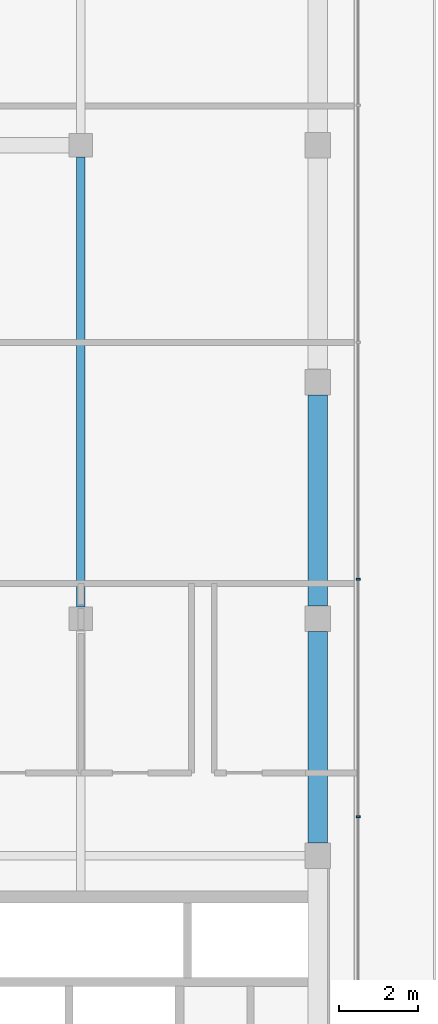
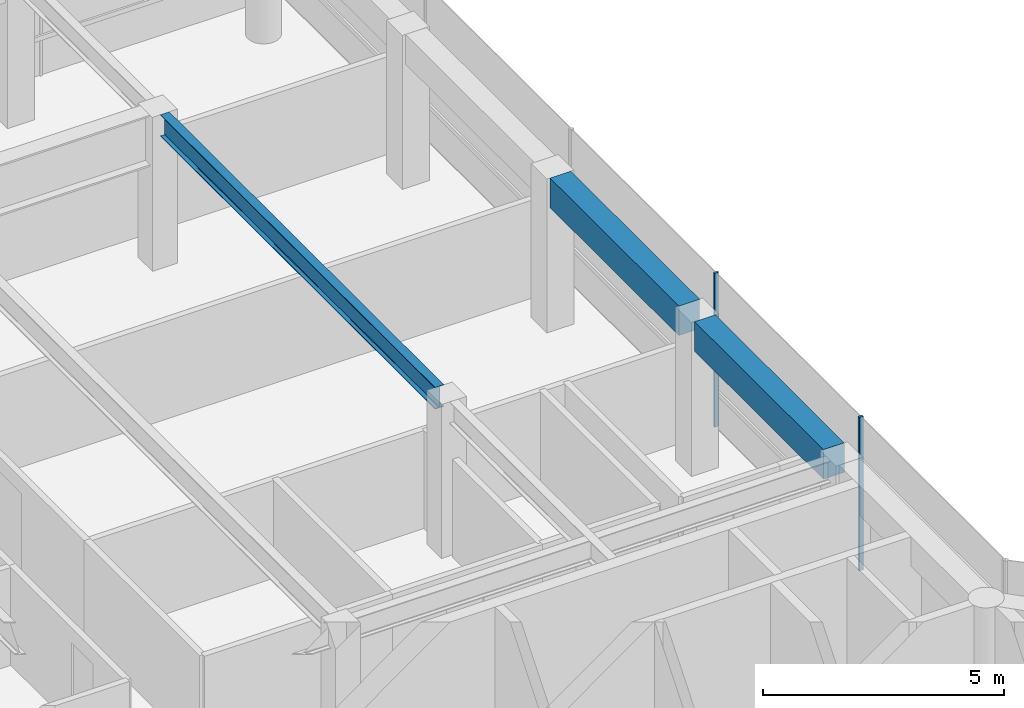
# One storey, part 9 of 19: 3 beams, 2 members, 1 element without a shape of its own.
"""IFC4 building model written with IfcOpenShell, lengths in metres."""

from ifc_helpers import new_model, si_unit, direction, frame, origin, origin_2d, place, context, subcontext, project, spatial, rectangle, i_section, extrude, material, layer, layer_set, material_profile, profile_set, type_object, element, aggregate, save


model = new_model("IFC4")

# Units and contexts
model_context = context("Model", 3, precision=1e-05, world=origin(), true_north=direction((0.0, 1.0)))
body_context = subcontext(model_context, "Body", "Model", "MODEL_VIEW")
ifc_project = project(units=[si_unit("LENGTHUNIT", "METRE"), si_unit("AREAUNIT", "SQUARE_METRE"), si_unit("VOLUMEUNIT", "CUBIC_METRE"), si_unit("PLANEANGLEUNIT", "RADIAN"), si_unit("MASSUNIT", "GRAM", prefix="KILO")], contexts=[model_context])

# Site, building, storey
site_placement = place(None, origin())
site = spatial("IfcSite", under=ifc_project, at=site_placement, CompositionType="ELEMENT")
building_placement = place(site_placement, origin())
building = spatial("IfcBuilding", under=site, at=building_placement, Name="Welwitschia Terrace Campus", CompositionType="ELEMENT")
storey_placement = place(building_placement, frame((0.0, 0.0, 323.0)))
storey = spatial("IfcBuildingStorey", under=building, at=storey_placement, Name="L72", CompositionType="ELEMENT", Elevation=323.0)

# Beam
ifc_material_1 = material(Name="Steel S355", Category="steel")
ifc_material_profile_1 = material_profile(ifc_material_1, i_section(OverallWidth=0.2099609375, OverallDepth=0.550048828125, WebThickness=0.010986328125, FlangeThickness=0.01708984375, FilletRadius=0.02392578125, at=origin_2d()))
ifc_profile_set_1 = profile_set([ifc_material_profile_1], Name="Steel S355")
beam_type_1 = type_object("IfcBeamType", Name="Interior girder IPE 550", PredefinedType="BEAM", material=ifc_profile_set_1)
beam_placement = place(storey_placement, frame((18.0, 32.300537109375, 3.625), z_axis=(0.0, 1.0, 0.0), x_axis=(-1.0, 0.0, 0.0)))
element("IfcBeam", 1, at=beam_placement, inside=storey, type_object=beam_type_1, Name="Girder GB7", PredefinedType="BEAM", context=body_context, shape_type="SweptSolid", body=[
    extrude(i_section(OverallWidth=0.2099609375, OverallDepth=0.550048828125, WebThickness=0.010986328125, FlangeThickness=0.01708984375, FilletRadius=0.02392578125, at=origin_2d()), origin(), (0.0, 0.0, 1.0), 11.39892578125),
])

# Curtain wall, members
ifc_material_2 = material(Name="Bronze anodised aluminium", Category="aluminium")
ifc_layer = layer(ifc_material_2, 0.10009765625)
ifc_layer_set = layer_set([ifc_layer], Name="Bronze anodised aluminium")
curtain_wall_type = type_object("IfcCurtainWallType", Name="Curtain wall CW5 crown 6000", PredefinedType="NOTDEFINED", material=ifc_layer_set)
curtain_wall_placement = place(storey_placement, origin())
curtain_wall = element("IfcCurtainWall", 2, at=curtain_wall_placement, inside=storey, type_object=curtain_wall_type, Name="CW L72.6.0", PredefinedType="NOTDEFINED")
ifc_material_3 = material(Name="Bronze anodised aluminium", Category="aluminium")
ifc_material_profile_2 = material_profile(ifc_material_3, rectangle(XDim=0.10009765625, YDim=0.050048828125, at=origin_2d()))
ifc_profile_set_2 = profile_set([ifc_material_profile_2], Name="Bronze anodised aluminium")
member_type = type_object("IfcMemberType", Name="Mullion 50x100", PredefinedType="MULLION", material=ifc_profile_set_2)
member_1_placement = place(storey_placement, frame((25.030029296875, 26.992431640625, 0.0), z_axis=(0.0, 0.0, 1.0), x_axis=(-1.0, 0.0, 0.0)))
member_1 = element("IfcMember", 3, at=member_1_placement, type_object=member_type, Name="Mullion L72.6.0.1", PredefinedType="MULLION", context=body_context, shape_type="SweptSolid", body=[
    extrude(rectangle(XDim=0.10009765625, YDim=0.050048828125, at=origin_2d()), origin(), (0.0, 0.0, 1.0), 3.89990234375),
])
member_2_placement = place(storey_placement, frame((25.030029296875, 32.999755859375, 0.0), z_axis=(0.0, 0.0, 1.0), x_axis=(-1.0, 0.0, 0.0)))
member_2 = element("IfcMember", 4, at=member_2_placement, type_object=member_type, Name="Mullion L72.6.0.2", PredefinedType="MULLION", context=body_context, shape_type="SweptSolid", body=[
    extrude(rectangle(XDim=0.10009765625, YDim=0.050048828125, at=origin_2d()), origin(), (0.0, 0.0, 1.0), 3.89990234375),
])
aggregate(curtain_wall, [member_1, member_2])

# Beams
ifc_material_4 = material(Name="Concrete C40/50", Category="concrete")
ifc_material_profile_3 = material_profile(ifc_material_4, rectangle(XDim=0.5, YDim=0.75, at=origin_2d()))
ifc_profile_set_3 = profile_set([ifc_material_profile_3], Name="Concrete C40/50")
beam_type_2 = type_object("IfcBeamType", Name="Ring spandrel 500x750", PredefinedType="SPANDREL", material=ifc_profile_set_3)
for number, where, z_axis, x_axis, name in (
    (5, (24.0, 26.325439453125, 3.52490234375), (0.0, 1.0, 0.0), (-1.0, 0.0, 0.0), "Spandrel SP5"),
    (6, (24.0, 32.325439453125, 3.52490234375), (0.0, 1.0, 0.0), (-1.0, 0.0, 0.0), "Spandrel SP5"),
):
    element("IfcBeam", number, at=place(storey_placement, frame(where, z_axis=z_axis, x_axis=x_axis)), inside=storey, type_object=beam_type_2, Name=name, PredefinedType="SPANDREL", context=body_context, shape_type="SweptSolid", body=[
        extrude(rectangle(XDim=0.5, YDim=0.75, at=origin_2d()), origin(), (0.0, 0.0, 1.0), 5.34912109375),
    ])

save(model, "model.ifc")
